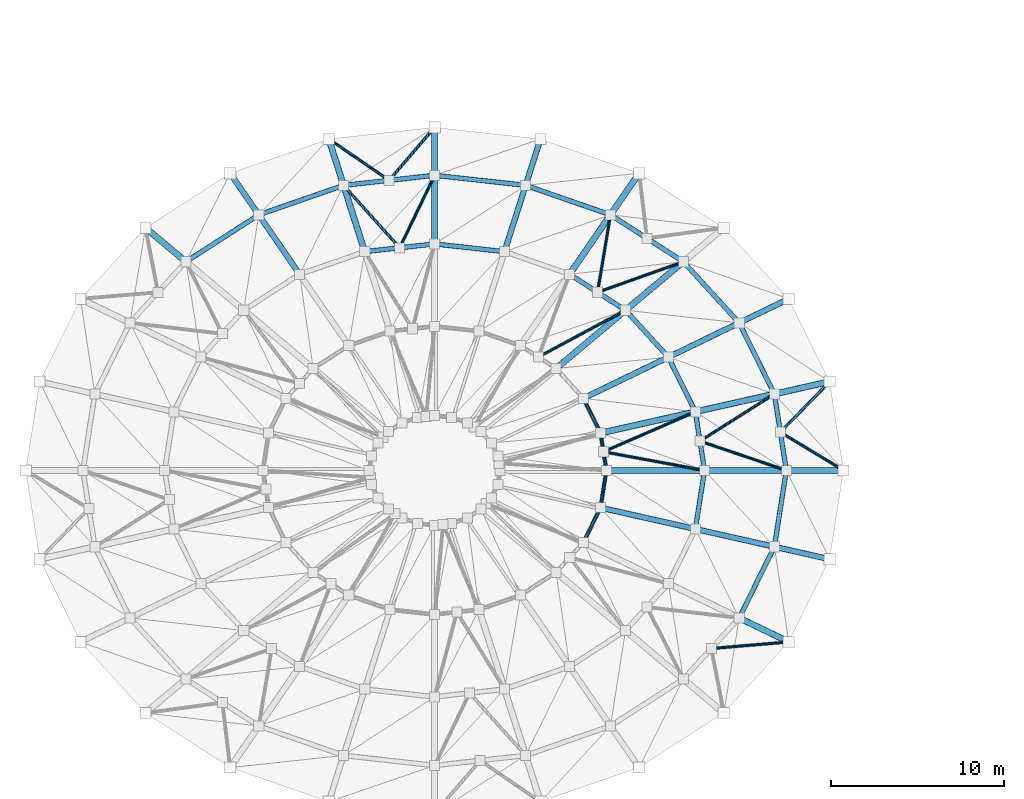
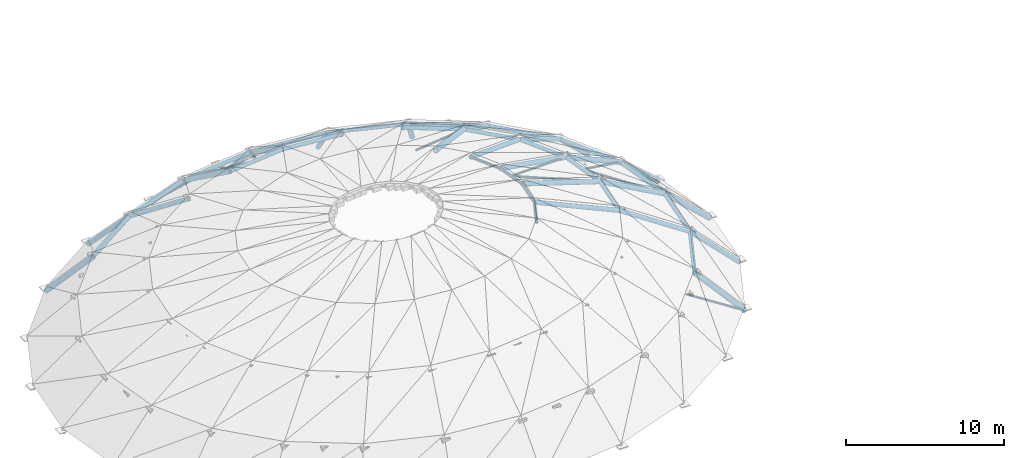
# One storey, part 4 of 11: 62 members.
"""IFC4 building model written with IfcOpenShell, lengths in metres."""

from ifc_helpers import new_model, si_unit, direction, frame, origin, origin_2d, place, context, subcontext, project, spatial, hollow_circle, extrude, material, material_profile, profile_set, type_object, element, save


model = new_model("IFC4")

# Units and contexts
model_context = context("Model", 3, precision=1e-05, world=origin(), true_north=direction((0.0, 1.0)))
body_context = subcontext(model_context, "Body", "Model", "MODEL_VIEW")
ifc_project = project(units=[si_unit("LENGTHUNIT", "METRE"), si_unit("AREAUNIT", "SQUARE_METRE"), si_unit("VOLUMEUNIT", "CUBIC_METRE"), si_unit("PLANEANGLEUNIT", "RADIAN"), si_unit("MASSUNIT", "GRAM", prefix="KILO")], contexts=[model_context])

# Site, building, storey
site_placement = place(None, origin())
site = spatial("IfcSite", under=ifc_project, at=site_placement, CompositionType="ELEMENT")
building_placement = place(site_placement, origin())
building = spatial("IfcBuilding", under=site, at=building_placement, Name="Parian Resonance Hall", CompositionType="ELEMENT")
storey_placement = place(building_placement, frame((0.0, 0.0, 27.60009765625)))
storey = spatial("IfcBuildingStorey", under=building, at=storey_placement, Name="ROOF", CompositionType="ELEMENT", Elevation=27.60009765625)

# Members
ifc_material_1 = material(Name="Hollow structural steel S355", Category="steel")
ifc_material_profile_1 = material_profile(ifc_material_1, hollow_circle(Radius=0.084228515625, WallThickness=0.008056640625, at=origin_2d()), Name="CHS168.3x8")
ifc_profile_set_1 = profile_set([ifc_material_profile_1], Name="Hollow structural steel S355")
member_type_1 = type_object("IfcMemberType", Name="MEM-CHS168", PredefinedType="BRACE", material=ifc_profile_set_1)
member_1_placement = place(storey_placement, frame((67.60009765625, 44.0, -6.830078125), z_axis=(-0.69702955498, 0.420828679816, 0.58056267683), x_axis=(-0.516851679642, -0.856074962402, 0.0)))
element("IfcMember", 1, at=member_1_placement, inside=storey, type_object=member_type_1, Name="Dome sector K-brace 1.1A", PredefinedType="BRACE", context=body_context, shape_type="SweptSolid", body=[
    extrude(hollow_circle(Radius=0.084228515625, WallThickness=0.008056640625, at=origin_2d()), origin(), (0.0, 0.0, 1.0), 5.236328125),
])
member_2_placement = place(storey_placement, frame((66.7958984375, 49.12451171875, -6.830078125), z_axis=(-0.559472429947, -0.574256018521, 0.597679366652), x_axis=(0.716266416859, -0.697826927024, 0.0)))
element("IfcMember", 2, at=member_2_placement, inside=storey, type_object=member_type_1, Name="Dome sector K-brace 1.1B", PredefinedType="BRACE", context=body_context, shape_type="SweptSolid", body=[
    extrude(hollow_circle(Radius=0.084228515625, WallThickness=0.008056640625, at=origin_2d()), origin(), (0.0, 0.0, 1.0), 5.08642578125),
])
member_3_placement = place(storey_placement, frame((64.2958984375, 44.0, -3.7900390625), z_axis=(-0.849094961996, 0.288035298812, 0.442801775235), x_axis=(-0.32124584403, -0.946995832986, 0.0)))
element("IfcMember", 3, at=member_3_placement, inside=storey, type_object=member_type_1, Name="Dome sector K-brace 1.2A", PredefinedType="BRACE", context=body_context, shape_type="SweptSolid", body=[
    extrude(hollow_circle(Radius=0.084228515625, WallThickness=0.008056640625, at=origin_2d()), origin(), (0.0, 0.0, 1.0), 5.871337890625),
])
member_4_placement = place(storey_placement, frame((63.6044921875, 48.4072265625, -3.7900390625), z_axis=(-0.752349363627, -0.475886210504, 0.455524697138), x_axis=(0.53456957669, -0.845124468748, 0.0)))
element("IfcMember", 4, at=member_4_placement, inside=storey, type_object=member_type_1, Name="Dome sector K-brace 1.2B", PredefinedType="BRACE", context=body_context, shape_type="SweptSolid", body=[
    extrude(hollow_circle(Radius=0.084228515625, WallThickness=0.008056640625, at=origin_2d()), origin(), (0.0, 0.0, 1.0), 5.707275390625),
])
member_5_placement = place(storey_placement, frame((59.575927734375, 44.0, -1.190185546875), z_axis=(-0.941019856322, 0.173622515871, 0.290408078384), x_axis=(-0.18144214738, -0.983401620476, 0.0)))
element("IfcMember", 5, at=member_5_placement, inside=storey, type_object=member_type_1, Name="Dome sector K-brace 1.3A", PredefinedType="BRACE", context=body_context, shape_type="SweptSolid", body=[
    extrude(hollow_circle(Radius=0.084228515625, WallThickness=0.008056640625, at=origin_2d()), origin(), (0.0, 0.0, 1.0), 6.1982421875),
])
member_6_placement = place(storey_placement, frame((59.04541015625, 47.382080078125, -1.190185546875), z_axis=(-0.875582973539, -0.3807846572, 0.297249897039), x_axis=(0.398811028745, -0.917033131, 0.0)))
element("IfcMember", 6, at=member_6_placement, inside=storey, type_object=member_type_1, Name="Dome sector K-brace 1.3B", PredefinedType="BRACE", context=body_context, shape_type="SweptSolid", body=[
    extrude(hollow_circle(Radius=0.084228515625, WallThickness=0.008056640625, at=origin_2d()), origin(), (0.0, 0.0, 1.0), 6.0556640625),
])
member_7_placement = place(storey_placement, frame((58.351318359375, 56.04052734375, -3.7900390625), z_axis=(-0.844414372986, -0.300502742786, 0.443466422938), x_axis=(0.335273641544, -0.94212079124, 0.0)))
element("IfcMember", 7, at=member_7_placement, inside=storey, type_object=member_type_1, Name="Dome sector K-brace 2.2A", PredefinedType="BRACE", context=body_context, shape_type="SweptSolid", body=[
    extrude(hollow_circle(Radius=0.084228515625, WallThickness=0.008056640625, at=origin_2d()), origin(), (0.0, 0.0, 1.0), 5.862548828125),
])
member_8_placement = place(storey_placement, frame((54.14794921875, 58.74658203125, -3.7900390625), z_axis=(-0.143038324777, -0.855425275625, 0.497782719133), x_axis=(0.98630638467, -0.164923362683, 0.0)))
element("IfcMember", 8, at=member_8_placement, inside=storey, type_object=member_type_1, Name="Dome sector K-brace 2.2B", PredefinedType="BRACE", context=body_context, shape_type="SweptSolid", body=[
    extrude(hollow_circle(Radius=0.084228515625, WallThickness=0.008056640625, at=origin_2d()), origin(), (0.0, 0.0, 1.0), 5.222900390625),
])
member_9_placement = place(storey_placement, frame((55.013916015625, 53.240478515625, -1.190185546875), z_axis=(-0.840414485122, -0.450893442767, 0.300663593518), x_axis=(0.472768310909, -0.881186770328, 0.0)))
element("IfcMember", 9, at=member_9_placement, inside=storey, type_object=member_type_1, Name="Dome sector K-brace 2.3A", PredefinedType="BRACE", context=body_context, shape_type="SweptSolid", body=[
    extrude(hollow_circle(Radius=0.084228515625, WallThickness=0.008056640625, at=origin_2d()), origin(), (0.0, 0.0, 1.0), 5.98681640625),
])
member_10_placement = place(storey_placement, frame((44.0, 63.800048828125, -6.830078125), z_axis=(-0.519938489796, -0.606208261527, 0.601810194733), x_axis=(0.759051522414, -0.651030557134, 0.0)))
element("IfcMember", 10, at=member_10_placement, inside=storey, type_object=member_type_1, Name="Dome sector K-brace 3.1A", PredefinedType="BRACE", context=body_context, shape_type="SweptSolid", body=[
    extrude(hollow_circle(Radius=0.084228515625, WallThickness=0.008056640625, at=origin_2d()), origin(), (0.0, 0.0, 1.0), 5.051513671875),
])
member_11_placement = place(storey_placement, frame((37.891845703125, 63.125244140625, -6.830078125), z_axis=(0.669259685463, -0.458922268014, 0.584364462758), x_axis=(0.565529479419, 0.824728081193, 0.0)))
element("IfcMember", 11, at=member_11_placement, inside=storey, type_object=member_type_1, Name="Dome sector K-brace 3.1B", PredefinedType="BRACE", context=body_context, shape_type="SweptSolid", body=[
    extrude(hollow_circle(Radius=0.084228515625, WallThickness=0.008056640625, at=origin_2d()), origin(), (0.0, 0.0, 1.0), 5.202392578125),
])
member_12_placement = place(storey_placement, frame((44.0, 61.028076171875, -3.7900390625), z_axis=(-0.378770424137, -0.786031210846, 0.488556958168), x_axis=(0.900862325877, -0.434104906464, 0.0)))
element("IfcMember", 12, at=member_12_placement, inside=storey, type_object=member_type_1, Name="Dome sector K-brace 3.2A", PredefinedType="BRACE", context=body_context, shape_type="SweptSolid", body=[
    extrude(hollow_circle(Radius=0.084228515625, WallThickness=0.008056640625, at=origin_2d()), origin(), (0.0, 0.0, 1.0), 5.321533203125),
])
member_13_placement = place(storey_placement, frame((38.7470703125, 60.44775390625, -3.7900390625), z_axis=(0.588915664246, -0.655357431494, 0.472953462184), x_axis=(0.743805239604, 0.668396413469, 0.0)))
element("IfcMember", 13, at=member_13_placement, inside=storey, type_object=member_type_1, Name="Dome sector K-brace 3.2B", PredefinedType="BRACE", context=body_context, shape_type="SweptSolid", body=[
    extrude(hollow_circle(Radius=0.084228515625, WallThickness=0.008056640625, at=origin_2d()), origin(), (0.0, 0.0, 1.0), 5.4970703125),
])
member_14_placement = place(storey_placement, frame((64.438232421875, 34.10009765625, -6.830078125), z_axis=(-0.825123319631, -0.069608242505, 0.560648017901), x_axis=(0.084062420526, -0.996460490664, 0.0)))
element("IfcMember", 14, at=member_14_placement, inside=storey, type_object=member_type_1, Name="Dome sector K-brace 8.1B", PredefinedType="BRACE", context=body_context, shape_type="SweptSolid", body=[
    extrude(hollow_circle(Radius=0.084228515625, WallThickness=0.008056640625, at=origin_2d()), origin(), (0.0, 0.0, 1.0), 5.42236328125),
])
ifc_material_2 = material(Name="Hollow structural steel S355", Category="steel")
ifc_material_profile_2 = material_profile(ifc_material_2, hollow_circle(Radius=0.109619140625, WallThickness=0.010009765625, at=origin_2d()), Name="CHS219.1x10")
ifc_profile_set_2 = profile_set([ifc_material_profile_2], Name="Hollow structural steel S355")
member_type_2 = type_object("IfcMemberType", Name="MEM-CHS219", PredefinedType="CHORD", material=ifc_profile_set_2)
member_15_placement = place(storey_placement, frame((53.912109375, 44.0, 0.60986328125), z_axis=(-0.155087856552, 0.987900681622, 0.0), x_axis=(-0.987900681622, -0.155087856552, 0.0)))
element("IfcMember", 15, at=member_15_placement, inside=storey, type_object=member_type_2, Name="Dome tubular hoop ring J3-01", PredefinedType="CHORD", context=body_context, shape_type="SweptSolid", body=[
    extrude(hollow_circle(Radius=0.109619140625, WallThickness=0.010009765625, at=origin_2d()), origin(), (0.0, 0.0, 1.0), 2.1787109375),
])
for number, where, z_axis, x_axis, name in (
    (16, (53.57421875, 46.15234375, 0.60986328125), (-0.442710977497, 0.896664368871, 0.0), (-0.896664368871, -0.442710977497, 0.0), "Dome tubular hoop ring J3-02"),
    (17, (52.583984375, 39.842041015625, 0.60986328125), (0.442710977497, 0.896664368871, 0.0), (-0.896664368871, 0.442710977497, 0.0), "Dome tubular hoop ring J3-23"),
):
    element("IfcMember", number, at=place(storey_placement, frame(where, z_axis=z_axis, x_axis=x_axis)), inside=storey, type_object=member_type_2, Name=name, PredefinedType="CHORD", context=body_context, shape_type="SweptSolid", body=[
        extrude(hollow_circle(Radius=0.109619140625, WallThickness=0.010009765625, at=origin_2d()), origin(), (0.0, 0.0, 1.0), 2.23681640625),
    ])
member_16_placement = place(storey_placement, frame((53.57421875, 41.84765625, 0.60986328125), z_axis=(0.155087856552, 0.987900681622, 0.0), x_axis=(-0.987900681622, 0.155087856552, 0.0)))
element("IfcMember", 18, at=member_16_placement, inside=storey, type_object=member_type_2, Name="Dome tubular hoop ring J3-24", PredefinedType="CHORD", context=body_context, shape_type="SweptSolid", body=[
    extrude(hollow_circle(Radius=0.109619140625, WallThickness=0.010009765625, at=origin_2d()), origin(), (0.0, 0.0, 1.0), 2.1787109375),
])
ifc_material_3 = material(Name="Hollow structural steel S355", Category="steel")
ifc_material_profile_3 = material_profile(ifc_material_3, hollow_circle(Radius=0.136474609375, WallThickness=0.012451171875, at=origin_2d()), Name="CHS273x12.5")
ifc_profile_set_3 = profile_set([ifc_material_profile_3], Name="Hollow structural steel S355")
member_type_3 = type_object("IfcMemberType", Name="MEM-CHS273", PredefinedType="CHORD", material=ifc_profile_set_3)
member_17_placement = place(storey_placement, frame((64.2958984375, 44.0, -3.7900390625), z_axis=(-0.154984525505, 0.987916897747, 0.0), x_axis=(-0.987916897747, -0.154984525505, 0.0)))
element("IfcMember", 19, at=member_17_placement, inside=storey, type_object=member_type_3, Name="Dome tubular hoop ring J1-01", PredefinedType="CHORD", context=body_context, shape_type="SweptSolid", body=[
    extrude(hollow_circle(Radius=0.136474609375, WallThickness=0.012451171875, at=origin_2d()), origin(), (0.0, 0.0, 1.0), 4.461181640625),
])
member_18_placement = place(storey_placement, frame((63.6044921875, 48.4072265625, -3.7900390625), z_axis=(-0.442708885431, 0.896665401786, 0.0), x_axis=(-0.896665401786, -0.442708885431, 0.0)))
element("IfcMember", 20, at=member_18_placement, inside=storey, type_object=member_type_3, Name="Dome tubular hoop ring J1-02", PredefinedType="CHORD", context=body_context, shape_type="SweptSolid", body=[
    extrude(hollow_circle(Radius=0.136474609375, WallThickness=0.012451171875, at=origin_2d()), origin(), (0.0, 0.0, 1.0), 4.580078125),
])
member_19_placement = place(storey_placement, frame((61.576904296875, 52.513916015625, -3.7900390625), z_axis=(-0.674912283642, 0.737897966788, 0.0), x_axis=(-0.737897966788, -0.674912283642, 0.0)))
element("IfcMember", 21, at=member_19_placement, inside=storey, type_object=member_type_3, Name="Dome tubular hoop ring J1-03", PredefinedType="CHORD", context=body_context, shape_type="SweptSolid", body=[
    extrude(hollow_circle(Radius=0.136474609375, WallThickness=0.012451171875, at=origin_2d()), origin(), (0.0, 0.0, 1.0), 4.779296875),
])
member_20_placement = place(storey_placement, frame((58.351318359375, 56.04052734375, -3.7900390625), z_axis=(-0.84082444834, 0.54130790413, 0.0), x_axis=(-0.54130790413, -0.84082444834, 0.0)))
element("IfcMember", 22, at=member_20_placement, inside=storey, type_object=member_type_3, Name="Dome tubular hoop ring J1-04", PredefinedType="CHORD", context=body_context, shape_type="SweptSolid", body=[
    extrude(hollow_circle(Radius=0.136474609375, WallThickness=0.012451171875, at=origin_2d()), origin(), (0.0, 0.0, 1.0), 4.9990234375),
])
member_21_placement = place(storey_placement, frame((54.14794921875, 58.74658203125, -3.7900390625), z_axis=(-0.944583201085, 0.328272106991, 0.0), x_axis=(-0.328272106991, -0.944583201085, 0.0)))
element("IfcMember", 23, at=member_21_placement, inside=storey, type_object=member_type_3, Name="Dome tubular hoop ring J1-05", PredefinedType="CHORD", context=body_context, shape_type="SweptSolid", body=[
    extrude(hollow_circle(Radius=0.136474609375, WallThickness=0.012451171875, at=origin_2d()), origin(), (0.0, 0.0, 1.0), 5.18212890625),
])
for number, where, z_axis, x_axis, name in (
    (24, (49.2529296875, 60.44775390625, -3.7900390625), (-0.993952832989, 0.109807858525, 0.0), (-0.109807858525, -0.993952832989, 0.0), "Dome tubular hoop ring J1-06"),
    (25, (44.0, 61.028076171875, -3.7900390625), (-0.993952832989, -0.109807858525, 0.0), (0.109807858525, -0.993952832989, 0.0), "Dome tubular hoop ring J1-07"),
):
    element("IfcMember", number, at=place(storey_placement, frame(where, z_axis=z_axis, x_axis=x_axis)), inside=storey, type_object=member_type_3, Name=name, PredefinedType="CHORD", context=body_context, shape_type="SweptSolid", body=[
        extrude(hollow_circle(Radius=0.136474609375, WallThickness=0.012451171875, at=origin_2d()), origin(), (0.0, 0.0, 1.0), 5.284912109375),
    ])
member_22_placement = place(storey_placement, frame((38.7470703125, 60.44775390625, -3.7900390625), z_axis=(-0.944583201085, -0.328272106991, 0.0), x_axis=(0.328272106991, -0.944583201085, 0.0)))
element("IfcMember", 26, at=member_22_placement, inside=storey, type_object=member_type_3, Name="Dome tubular hoop ring J1-08", PredefinedType="CHORD", context=body_context, shape_type="SweptSolid", body=[
    extrude(hollow_circle(Radius=0.136474609375, WallThickness=0.012451171875, at=origin_2d()), origin(), (0.0, 0.0, 1.0), 5.18212890625),
])
member_23_placement = place(storey_placement, frame((33.85205078125, 58.74658203125, -3.7900390625), z_axis=(-0.84082444834, -0.54130790413, 0.0), x_axis=(0.54130790413, -0.84082444834, 0.0)))
element("IfcMember", 27, at=member_23_placement, inside=storey, type_object=member_type_3, Name="Dome tubular hoop ring J1-09", PredefinedType="CHORD", context=body_context, shape_type="SweptSolid", body=[
    extrude(hollow_circle(Radius=0.136474609375, WallThickness=0.012451171875, at=origin_2d()), origin(), (0.0, 0.0, 1.0), 4.9990234375),
])
member_24_placement = place(storey_placement, frame((61.576904296875, 35.486083984375, -3.7900390625), z_axis=(0.442708885431, 0.896665401786, 0.0), x_axis=(-0.896665401786, 0.442708885431, 0.0)))
element("IfcMember", 28, at=member_24_placement, inside=storey, type_object=member_type_3, Name="Dome tubular hoop ring J1-23", PredefinedType="CHORD", context=body_context, shape_type="SweptSolid", body=[
    extrude(hollow_circle(Radius=0.136474609375, WallThickness=0.012451171875, at=origin_2d()), origin(), (0.0, 0.0, 1.0), 4.580078125),
])
member_25_placement = place(storey_placement, frame((63.6044921875, 39.5927734375, -3.7900390625), z_axis=(0.154984525505, 0.987916897747, 0.0), x_axis=(-0.987916897747, 0.154984525505, 0.0)))
element("IfcMember", 29, at=member_25_placement, inside=storey, type_object=member_type_3, Name="Dome tubular hoop ring J1-24", PredefinedType="CHORD", context=body_context, shape_type="SweptSolid", body=[
    extrude(hollow_circle(Radius=0.136474609375, WallThickness=0.012451171875, at=origin_2d()), origin(), (0.0, 0.0, 1.0), 4.461181640625),
])
member_26_placement = place(storey_placement, frame((59.575927734375, 44.0, -1.190185546875), z_axis=(-0.154966404102, 0.987919740465, 0.0), x_axis=(-0.987919740465, -0.154966404102, 0.0)))
element("IfcMember", 30, at=member_26_placement, inside=storey, type_object=member_type_3, Name="Dome tubular hoop ring J2-01", PredefinedType="CHORD", context=body_context, shape_type="SweptSolid", body=[
    extrude(hollow_circle(Radius=0.136474609375, WallThickness=0.012451171875, at=origin_2d()), origin(), (0.0, 0.0, 1.0), 3.42333984375),
])
member_27_placement = place(storey_placement, frame((59.04541015625, 47.382080078125, -1.190185546875), z_axis=(-0.442707238803, 0.896666214771, 0.0), x_axis=(-0.896666214771, -0.442707238803, 0.0)))
element("IfcMember", 31, at=member_27_placement, inside=storey, type_object=member_type_3, Name="Dome tubular hoop ring J2-02", PredefinedType="CHORD", context=body_context, shape_type="SweptSolid", body=[
    extrude(hollow_circle(Radius=0.136474609375, WallThickness=0.012451171875, at=origin_2d()), origin(), (0.0, 0.0, 1.0), 3.51513671875),
])
member_28_placement = place(storey_placement, frame((57.4892578125, 50.533935546875, -1.190185546875), z_axis=(-0.674886246736, 0.737921780385, 0.0), x_axis=(-0.737921780385, -0.674886246736, 0.0)))
element("IfcMember", 32, at=member_28_placement, inside=storey, type_object=member_type_3, Name="Dome tubular hoop ring J2-03", PredefinedType="CHORD", context=body_context, shape_type="SweptSolid", body=[
    extrude(hollow_circle(Radius=0.136474609375, WallThickness=0.012451171875, at=origin_2d()), origin(), (0.0, 0.0, 1.0), 3.667724609375),
])
member_29_placement = place(storey_placement, frame((55.013916015625, 53.240478515625, -1.190185546875), z_axis=(-0.840833011085, 0.541294603216, 0.0), x_axis=(-0.541294603216, -0.840833011085, 0.0)))
element("IfcMember", 33, at=member_29_placement, inside=storey, type_object=member_type_3, Name="Dome tubular hoop ring J2-04", PredefinedType="CHORD", context=body_context, shape_type="SweptSolid", body=[
    extrude(hollow_circle(Radius=0.136474609375, WallThickness=0.012451171875, at=origin_2d()), origin(), (0.0, 0.0, 1.0), 3.83642578125),
])
for number, where, z_axis, x_axis, name in (
    (34, (48.031494140625, 56.622802734375, -1.190185546875), (-0.993954731115, 0.109790675804, 0.0), (-0.109790675804, -0.993954731115, 0.0), "Dome tubular hoop ring J2-06"),
    (35, (44.0, 57.068115234375, -1.190185546875), (-0.993954731115, -0.109790675804, 0.0), (0.109790675804, -0.993954731115, 0.0), "Dome tubular hoop ring J2-07"),
):
    element("IfcMember", number, at=place(storey_placement, frame(where, z_axis=z_axis, x_axis=x_axis)), inside=storey, type_object=member_type_3, Name=name, PredefinedType="CHORD", context=body_context, shape_type="SweptSolid", body=[
        extrude(hollow_circle(Radius=0.136474609375, WallThickness=0.012451171875, at=origin_2d()), origin(), (0.0, 0.0, 1.0), 4.055908203125),
    ])
member_30_placement = place(storey_placement, frame((59.04541015625, 40.617919921875, -1.190185546875), z_axis=(0.154966404102, 0.987919740465, 0.0), x_axis=(-0.987919740465, 0.154966404102, 0.0)))
element("IfcMember", 36, at=member_30_placement, inside=storey, type_object=member_type_3, Name="Dome tubular hoop ring J2-24", PredefinedType="CHORD", context=body_context, shape_type="SweptSolid", body=[
    extrude(hollow_circle(Radius=0.136474609375, WallThickness=0.012451171875, at=origin_2d()), origin(), (0.0, 0.0, 1.0), 3.42333984375),
])
ifc_material_4 = material(Name="Hollow structural steel S355", Category="steel")
ifc_material_profile_4 = material_profile(ifc_material_4, hollow_circle(Radius=0.161865234375, WallThickness=0.01416015625, at=origin_2d()), Name="CHS323.9x14.2")
ifc_profile_set_4 = profile_set([ifc_material_profile_4], Name="Hollow structural steel S355")
member_type_4 = type_object("IfcMemberType", Name="MEM-CHS323", PredefinedType="CHORD", material=ifc_profile_set_4)
member_31_placement = place(storey_placement, frame((64.438232421875, 53.89990234375, -6.830078125), z_axis=(-0.650469958317, -0.315078323666, 0.691096580286), x_axis=(0.435936228365, -0.899977557942, 0.0)))
element("IfcMember", 37, at=member_31_placement, inside=storey, type_object=member_type_4, Name="Dome meridional arch rib 03.1", PredefinedType="CHORD", context=body_context, shape_type="SweptSolid", body=[
    extrude(hollow_circle(Radius=0.161865234375, WallThickness=0.01416015625, at=origin_2d()), origin(), (0.0, 0.0, 1.0), 4.39892578125),
])
member_32_placement = place(storey_placement, frame((61.576904296875, 52.513916015625, -3.7900390625), z_axis=(-0.781069863366, -0.37833581747, 0.496781519141), x_axis=(0.435933215664, -0.899979017245, 0.0)))
element("IfcMember", 38, at=member_32_placement, inside=storey, type_object=member_type_4, Name="Dome meridional arch rib 03.2", PredefinedType="CHORD", context=body_context, shape_type="SweptSolid", body=[
    extrude(hollow_circle(Radius=0.161865234375, WallThickness=0.01416015625, at=origin_2d()), origin(), (0.0, 0.0, 1.0), 5.2333984375),
])
member_33_placement = place(storey_placement, frame((57.4892578125, 50.533935546875, -1.190185546875), z_axis=(-0.854583117069, -0.413936038986, 0.313599508369), x_axis=(0.43592618617, -0.899982422168, 0.0)))
element("IfcMember", 39, at=member_33_placement, inside=storey, type_object=member_type_4, Name="Dome meridional arch rib 03.3", PredefinedType="CHORD", context=body_context, shape_type="SweptSolid", body=[
    extrude(hollow_circle(Radius=0.161865234375, WallThickness=0.01416015625, at=origin_2d()), origin(), (0.0, 0.0, 1.0), 5.739990234375),
])
member_34_placement = place(storey_placement, frame((50.108154296875, 63.125244140625, -6.830078125), z_axis=(-0.206560322512, -0.64668771253, 0.734253250335), x_axis=(0.952586384792, -0.304268268982, 0.0)))
element("IfcMember", 40, at=member_34_placement, inside=storey, type_object=member_type_4, Name="Dome meridional arch rib 06.1", PredefinedType="CHORD", context=body_context, shape_type="SweptSolid", body=[
    extrude(hollow_circle(Radius=0.161865234375, WallThickness=0.01416015625, at=origin_2d()), origin(), (0.0, 0.0, 1.0), 4.140380859375),
])
member_35_placement = place(storey_placement, frame((49.2529296875, 60.44775390625, -3.7900390625), z_axis=(-0.255346147486, -0.799621845424, 0.543510118843), x_axis=(0.95260823682, -0.304199847374, 0.0)))
element("IfcMember", 41, at=member_35_placement, inside=storey, type_object=member_type_4, Name="Dome meridional arch rib 06.2", PredefinedType="CHORD", context=body_context, shape_type="SweptSolid", body=[
    extrude(hollow_circle(Radius=0.161865234375, WallThickness=0.01416015625, at=origin_2d()), origin(), (0.0, 0.0, 1.0), 4.783447265625),
])
member_36_placement = place(storey_placement, frame((32.199951171875, 61.147216796875, -6.830078125), z_axis=(0.392309643601, -0.570057739844, 0.721891485461), x_axis=(0.82377539234, 0.56691631038, 0.0)))
element("IfcMember", 42, at=member_36_placement, inside=storey, type_object=member_type_4, Name="Dome meridional arch rib 09.1", PredefinedType="CHORD", context=body_context, shape_type="SweptSolid", body=[
    extrude(hollow_circle(Radius=0.161865234375, WallThickness=0.01416015625, at=origin_2d()), origin(), (0.0, 0.0, 1.0), 4.211181640625),
])
member_37_placement = place(storey_placement, frame((33.85205078125, 58.74658203125, -3.7900390625), z_axis=(0.480811647999, -0.698733831931, 0.52970859089), x_axis=(0.82380399977, 0.566874739217, 0.0)))
element("IfcMember", 43, at=member_37_placement, inside=storey, type_object=member_type_4, Name="Dome meridional arch rib 09.2", PredefinedType="CHORD", context=body_context, shape_type="SweptSolid", body=[
    extrude(hollow_circle(Radius=0.161865234375, WallThickness=0.01416015625, at=origin_2d()), origin(), (0.0, 0.0, 1.0), 4.908203125),
])
member_38_placement = place(storey_placement, frame((66.7958984375, 38.87548828125, -6.830078125), z_axis=(-0.714667720848, 0.160625287932, 0.68077130202), x_axis=(-0.219284857934, -0.975660879138, 0.0)))
element("IfcMember", 44, at=member_38_placement, inside=storey, type_object=member_type_4, Name="Dome meridional arch rib 24.1", PredefinedType="CHORD", context=body_context, shape_type="SweptSolid", body=[
    extrude(hollow_circle(Radius=0.161865234375, WallThickness=0.01416015625, at=origin_2d()), origin(), (0.0, 0.0, 1.0), 4.465576171875),
])
member_39_placement = place(storey_placement, frame((63.6044921875, 39.5927734375, -3.7900390625), z_axis=(-0.852568680969, 0.191706966445, 0.486184207114), x_axis=(-0.219380412933, -0.975639397739, 0.0)))
element("IfcMember", 45, at=member_39_placement, inside=storey, type_object=member_type_4, Name="Dome meridional arch rib 24.2", PredefinedType="CHORD", context=body_context, shape_type="SweptSolid", body=[
    extrude(hollow_circle(Radius=0.161865234375, WallThickness=0.01416015625, at=origin_2d()), origin(), (0.0, 0.0, 1.0), 5.347412109375),
])
member_40_placement = place(storey_placement, frame((59.04541015625, 40.617919921875, -1.190185546875), z_axis=(-0.928971795399, 0.208801023357, 0.305636280566), x_axis=(-0.219294635385, -0.975658681554, 0.0)))
element("IfcMember", 46, at=member_40_placement, inside=storey, type_object=member_type_4, Name="Dome meridional arch rib 24.3", PredefinedType="CHORD", context=body_context, shape_type="SweptSolid", body=[
    extrude(hollow_circle(Radius=0.161865234375, WallThickness=0.01416015625, at=origin_2d()), origin(), (0.0, 0.0, 1.0), 5.889404296875),
])
ifc_material_5 = material(Name="Hollow structural steel S355", Category="steel")
ifc_material_profile_5 = material_profile(ifc_material_5, hollow_circle(Radius=0.177734375, WallThickness=0.01611328125, at=origin_2d()), Name="CHS355.6x16")
ifc_profile_set_5 = profile_set([ifc_material_profile_5], Name="Hollow structural steel S355")
member_type_5 = type_object("IfcMemberType", Name="MEM-CHS355", PredefinedType="CHORD", material=ifc_profile_set_5)
member_41_placement = place(storey_placement, frame((67.60009765625, 44.0, -6.830078125), z_axis=(-0.735911504301, 0.0, 0.67707773397), x_axis=(0.0, -1.0, 0.0)))
element("IfcMember", 47, at=member_41_placement, inside=storey, type_object=member_type_5, Name="Dome meridional arch rib 01.1", PredefinedType="CHORD", context=body_context, shape_type="SweptSolid", body=[
    extrude(hollow_circle(Radius=0.177734375, WallThickness=0.01611328125, at=origin_2d()), origin(), (0.0, 0.0, 1.0), 4.489990234375),
])
member_42_placement = place(storey_placement, frame((64.2958984375, 44.0, -3.7900390625), z_axis=(-0.875912502756, 0.0, 0.48246998613), x_axis=(0.0, -1.0, 0.0)))
element("IfcMember", 48, at=member_42_placement, inside=storey, type_object=member_type_5, Name="Dome meridional arch rib 01.2", PredefinedType="CHORD", context=body_context, shape_type="SweptSolid", body=[
    extrude(hollow_circle(Radius=0.177734375, WallThickness=0.01611328125, at=origin_2d()), origin(), (0.0, 0.0, 1.0), 5.388671875),
])
member_43_placement = place(storey_placement, frame((59.575927734375, 44.0, -1.190185546875), z_axis=(-0.953026617278, 0.0, 0.302886557575), x_axis=(0.0, -1.0, 0.0)))
element("IfcMember", 49, at=member_43_placement, inside=storey, type_object=member_type_5, Name="Dome meridional arch rib 01.3", PredefinedType="CHORD", context=body_context, shape_type="SweptSolid", body=[
    extrude(hollow_circle(Radius=0.177734375, WallThickness=0.01611328125, at=origin_2d()), origin(), (0.0, 0.0, 1.0), 5.94287109375),
])
member_44_placement = place(storey_placement, frame((66.7958984375, 49.12451171875, -6.830078125), z_axis=(-0.714667720848, -0.160625287932, 0.68077130202), x_axis=(0.219284857934, -0.975660879138, 0.0)))
element("IfcMember", 50, at=member_44_placement, inside=storey, type_object=member_type_5, Name="Dome meridional arch rib 02.1", PredefinedType="CHORD", context=body_context, shape_type="SweptSolid", body=[
    extrude(hollow_circle(Radius=0.177734375, WallThickness=0.01611328125, at=origin_2d()), origin(), (0.0, 0.0, 1.0), 4.465576171875),
])
member_45_placement = place(storey_placement, frame((63.6044921875, 48.4072265625, -3.7900390625), z_axis=(-0.852568680969, -0.191706966445, 0.486184207114), x_axis=(0.219380412933, -0.975639397739, 0.0)))
element("IfcMember", 51, at=member_45_placement, inside=storey, type_object=member_type_5, Name="Dome meridional arch rib 02.2", PredefinedType="CHORD", context=body_context, shape_type="SweptSolid", body=[
    extrude(hollow_circle(Radius=0.177734375, WallThickness=0.01611328125, at=origin_2d()), origin(), (0.0, 0.0, 1.0), 5.347412109375),
])
member_46_placement = place(storey_placement, frame((59.04541015625, 47.382080078125, -1.190185546875), z_axis=(-0.928971795399, -0.208801023357, 0.305636280566), x_axis=(0.219294635385, -0.975658681554, 0.0)))
element("IfcMember", 52, at=member_46_placement, inside=storey, type_object=member_type_5, Name="Dome meridional arch rib 02.3", PredefinedType="CHORD", context=body_context, shape_type="SweptSolid", body=[
    extrude(hollow_circle(Radius=0.177734375, WallThickness=0.01611328125, at=origin_2d()), origin(), (0.0, 0.0, 1.0), 5.889404296875),
])
member_47_placement = place(storey_placement, frame((58.351318359375, 56.04052734375, -3.7900390625), z_axis=(-0.657844338312, -0.551925143826, 0.51246410817), x_axis=(0.64273854319, -0.76608561212, 0.0)))
element("IfcMember", 53, at=member_47_placement, inside=storey, type_object=member_type_5, Name="Dome meridional arch rib 04.2", PredefinedType="CHORD", context=body_context, shape_type="SweptSolid", body=[
    extrude(hollow_circle(Radius=0.177734375, WallThickness=0.01611328125, at=origin_2d()), origin(), (0.0, 0.0, 1.0), 5.0732421875),
])
member_48_placement = place(storey_placement, frame((55.013916015625, 53.240478515625, -1.190185546875), z_axis=(-0.724365289825, -0.607707374817, 0.325555945253), x_axis=(0.642721030108, -0.766100305088, 0.0)))
element("IfcMember", 54, at=member_48_placement, inside=storey, type_object=member_type_5, Name="Dome meridional arch rib 04.3", PredefinedType="CHORD", context=body_context, shape_type="SweptSolid", body=[
    extrude(hollow_circle(Radius=0.177734375, WallThickness=0.01611328125, at=origin_2d()), origin(), (0.0, 0.0, 1.0), 5.529052734375),
])
member_49_placement = place(storey_placement, frame((55.800048828125, 61.147216796875, -6.830078125), z_axis=(-0.392309643601, -0.570057739844, 0.721891485461), x_axis=(0.82377539234, -0.56691631038, 0.0)))
element("IfcMember", 55, at=member_49_placement, inside=storey, type_object=member_type_5, Name="Dome meridional arch rib 05.1", PredefinedType="CHORD", context=body_context, shape_type="SweptSolid", body=[
    extrude(hollow_circle(Radius=0.177734375, WallThickness=0.01611328125, at=origin_2d()), origin(), (0.0, 0.0, 1.0), 4.211181640625),
])
member_50_placement = place(storey_placement, frame((54.14794921875, 58.74658203125, -3.7900390625), z_axis=(-0.480811647999, -0.698733831931, 0.52970859089), x_axis=(0.82380399977, -0.566874739217, 0.0)))
element("IfcMember", 56, at=member_50_placement, inside=storey, type_object=member_type_5, Name="Dome meridional arch rib 05.2", PredefinedType="CHORD", context=body_context, shape_type="SweptSolid", body=[
    extrude(hollow_circle(Radius=0.177734375, WallThickness=0.01611328125, at=origin_2d()), origin(), (0.0, 0.0, 1.0), 4.908203125),
])
member_51_placement = place(storey_placement, frame((44.0, 63.800048828125, -6.830078125), z_axis=(0.0, -0.673776731063, 0.738934988127), x_axis=(1.0, 0.0, 0.0)))
element("IfcMember", 57, at=member_51_placement, inside=storey, type_object=member_type_5, Name="Dome meridional arch rib 07.1", PredefinedType="CHORD", context=body_context, shape_type="SweptSolid", body=[
    extrude(hollow_circle(Radius=0.177734375, WallThickness=0.01611328125, at=origin_2d()), origin(), (0.0, 0.0, 1.0), 4.114013671875),
])
member_52_placement = place(storey_placement, frame((44.0, 61.028076171875, -3.7900390625), z_axis=(0.0, -0.835938557302, 0.548823039254), x_axis=(1.0, 0.0, 0.0)))
element("IfcMember", 58, at=member_52_placement, inside=storey, type_object=member_type_5, Name="Dome meridional arch rib 07.2", PredefinedType="CHORD", context=body_context, shape_type="SweptSolid", body=[
    extrude(hollow_circle(Radius=0.177734375, WallThickness=0.01611328125, at=origin_2d()), origin(), (0.0, 0.0, 1.0), 4.737060546875),
])
member_53_placement = place(storey_placement, frame((37.891845703125, 63.125244140625, -6.830078125), z_axis=(0.206560322512, -0.64668771253, 0.734253250335), x_axis=(0.952586384792, 0.304268268982, 0.0)))
element("IfcMember", 59, at=member_53_placement, inside=storey, type_object=member_type_5, Name="Dome meridional arch rib 08.1", PredefinedType="CHORD", context=body_context, shape_type="SweptSolid", body=[
    extrude(hollow_circle(Radius=0.177734375, WallThickness=0.01611328125, at=origin_2d()), origin(), (0.0, 0.0, 1.0), 4.140380859375),
])
member_54_placement = place(storey_placement, frame((38.7470703125, 60.44775390625, -3.7900390625), z_axis=(0.255346147486, -0.799621845424, 0.543510118843), x_axis=(0.95260823682, 0.304199847374, 0.0)))
element("IfcMember", 60, at=member_54_placement, inside=storey, type_object=member_type_5, Name="Dome meridional arch rib 08.2", PredefinedType="CHORD", context=body_context, shape_type="SweptSolid", body=[
    extrude(hollow_circle(Radius=0.177734375, WallThickness=0.01611328125, at=origin_2d()), origin(), (0.0, 0.0, 1.0), 4.783447265625),
])
member_55_placement = place(storey_placement, frame((27.312255859375, 58.000732421875, -6.830078125), z_axis=(0.542575906684, -0.455208145744, 0.705972329157), x_axis=(0.642732013242, 0.766091090637, 0.0)))
element("IfcMember", 61, at=member_55_placement, inside=storey, type_object=member_type_5, Name="Dome meridional arch rib 10.1", PredefinedType="CHORD", context=body_context, shape_type="SweptSolid", body=[
    extrude(hollow_circle(Radius=0.177734375, WallThickness=0.01611328125, at=origin_2d()), origin(), (0.0, 0.0, 1.0), 4.30615234375),
])
member_56_placement = place(storey_placement, frame((64.438232421875, 34.10009765625, -6.830078125), z_axis=(-0.650469958317, 0.315078323666, 0.691096580286), x_axis=(-0.435936228365, -0.899977557942, 0.0)))
element("IfcMember", 62, at=member_56_placement, inside=storey, type_object=member_type_5, Name="Dome meridional arch rib 23.1", PredefinedType="CHORD", context=body_context, shape_type="SweptSolid", body=[
    extrude(hollow_circle(Radius=0.177734375, WallThickness=0.01611328125, at=origin_2d()), origin(), (0.0, 0.0, 1.0), 4.39892578125),
])

save(model, "model.ifc")
